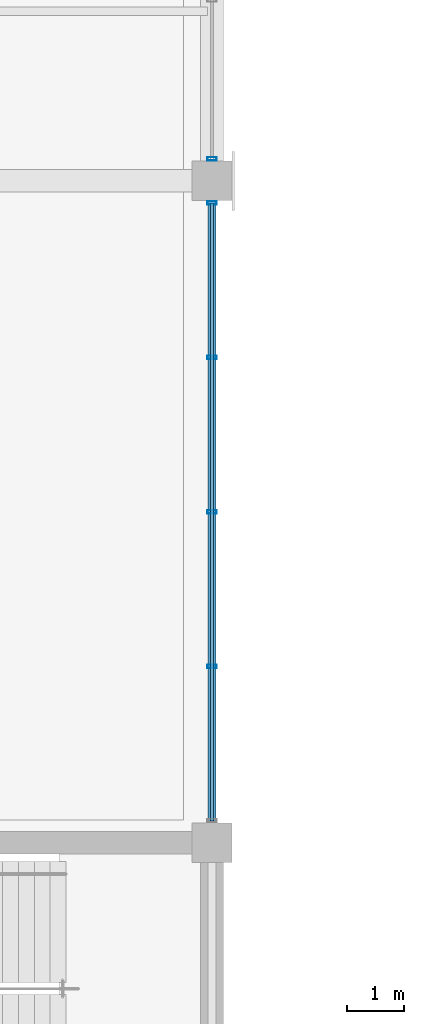
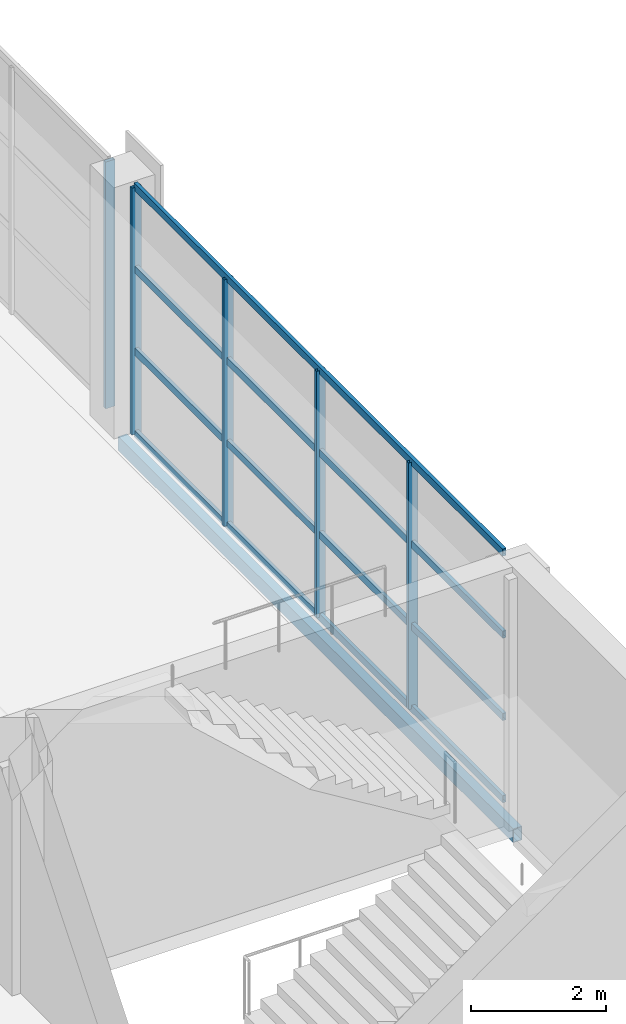
# One storey, part 22 of 112: 9 members, 1 beam, 2 elements without a shape of their own.
"""IFC4 building model written with IfcOpenShell, lengths in metres."""

from ifc_helpers import new_model, si_unit, direction, frame, origin, origin_2d, place, context, subcontext, project, spatial, hollow_rectangle, extrude, material, material_profile, profile_set, type_object, element, aggregate, save


model = new_model("IFC4")

# Units and contexts
model_context = context("Model", 3, precision=1e-05, world=origin(), true_north=direction((0.0, 1.0)))
body_context = subcontext(model_context, "Body", "Model", "MODEL_VIEW")
ifc_project = project(units=[si_unit("LENGTHUNIT", "METRE"), si_unit("AREAUNIT", "SQUARE_METRE"), si_unit("VOLUMEUNIT", "CUBIC_METRE"), si_unit("PLANEANGLEUNIT", "RADIAN"), si_unit("MASSUNIT", "GRAM", prefix="KILO")], contexts=[model_context])

# Site, building, storey
site_placement = place(None, origin())
site = spatial("IfcSite", under=ifc_project, at=site_placement, CompositionType="ELEMENT")
building_placement = place(site_placement, origin())
building = spatial("IfcBuilding", under=site, at=building_placement, Name="Solvikara Media Centre", CompositionType="ELEMENT")
storey_placement = place(building_placement, frame((0.0, 0.0, 5.39990234375)))
storey = spatial("IfcBuildingStorey", under=building, at=storey_placement, Name="L01", CompositionType="ELEMENT", Elevation=5.39990234375)

# Beam
ifc_material_1 = material(Name="Steel S355JR", Category="steel")
ifc_material_profile_1 = material_profile(ifc_material_1, hollow_rectangle(XDim=0.14990234375, YDim=0.25, WallThickness=0.008056640625, at=origin_2d()), Name="RHS 250x150x8")
ifc_profile_set_1 = profile_set([ifc_material_profile_1], Name="Steel S355JR")
beam_type = type_object("IfcBeamType", Name="BM-36", PredefinedType="JOIST", material=ifc_profile_set_1)
beam_placement = place(storey_placement, frame((34.0, 44.800048828125, -0.386962890625), z_axis=(0.0, 1.0, 0.0), x_axis=(-1.0, 0.0, 0.0)))
element("IfcBeam", 1, at=beam_placement, inside=storey, type_object=beam_type, Name="B-L01-Y0576", PredefinedType="JOIST", context=body_context, shape_type="SweptSolid", body=[
    extrude(hollow_rectangle(XDim=0.14990234375, YDim=0.25, WallThickness=0.008056640625, at=origin_2d()), origin(), (0.0, 0.0, 1.0), 11.699951171875),
])

# Curtain wall, members
ifc_material_2 = material(Name="Anodised aluminium EN AW-6063", Category="aluminium")
curtain_wall_type = type_object("IfcCurtainWallType", Name="CW-07", PredefinedType="NOTDEFINED", material=ifc_material_2)
curtain_wall_1_placement = place(storey_placement, origin())
curtain_wall_1 = element("IfcCurtainWall", 2, at=curtain_wall_1_placement, inside=storey, type_object=curtain_wall_type, Name="CW-L01-V4E-S1", PredefinedType="NOTDEFINED")
ifc_material_profile_2 = material_profile(ifc_material_2, hollow_rectangle(XDim=0.06005859375, YDim=0.159912109375, WallThickness=0.00341796875, at=origin_2d()), Name="ALU-M 60x160x3.5")
ifc_profile_set_2 = profile_set([ifc_material_profile_2], Name="Anodised aluminium EN AW-6063")
member_type_1 = type_object("IfcMemberType", Name="MF-04", PredefinedType="MULLION", material=ifc_profile_set_2)
member_1_placement = place(storey_placement, frame((34.0, 47.919921875, 0.02001953125), z_axis=(0.0, 0.0, 1.0), x_axis=(0.0, 1.0, 0.0)))
member_1 = element("IfcMember", 3, at=member_1_placement, type_object=member_type_1, Name="CW-L01-V4E-S1-M01", PredefinedType="MULLION", context=body_context, shape_type="SweptSolid", body=[
    extrude(hollow_rectangle(XDim=0.06005859375, YDim=0.159912109375, WallThickness=0.00341796875, at=origin_2d()), origin(), (0.0, 0.0, 1.0), 4.4599609375),
])
member_2_placement = place(storey_placement, frame((34.0, 50.64990234375, 0.02001953125), z_axis=(0.0, 0.0, 1.0), x_axis=(0.0, 1.0, 0.0)))
member_2 = element("IfcMember", 4, at=member_2_placement, type_object=member_type_1, Name="CW-L01-V4E-S1-M02", PredefinedType="MULLION", context=body_context, shape_type="SweptSolid", body=[
    extrude(hollow_rectangle(XDim=0.06005859375, YDim=0.159912109375, WallThickness=0.00341796875, at=origin_2d()), origin(), (0.0, 0.0, 1.0), 4.4599609375),
])
member_3_placement = place(storey_placement, frame((34.0, 53.3798828125, 0.02001953125), z_axis=(0.0, 0.0, 1.0), x_axis=(0.0, 1.0, 0.0)))
member_3 = element("IfcMember", 5, at=member_3_placement, type_object=member_type_1, Name="CW-L01-V4E-S1-M03", PredefinedType="MULLION", context=body_context, shape_type="SweptSolid", body=[
    extrude(hollow_rectangle(XDim=0.06005859375, YDim=0.159912109375, WallThickness=0.00341796875, at=origin_2d()), origin(), (0.0, 0.0, 1.0), 4.4599609375),
])
member_4_placement = place(storey_placement, frame((34.0, 56.110107421875, 0.02001953125), z_axis=(0.0, 0.0, 1.0), x_axis=(0.0, 1.0, 0.0)))
member_4 = element("IfcMember", 6, at=member_4_placement, type_object=member_type_1, Name="CW-L01-V4E-S1-M04", PredefinedType="MULLION", context=body_context, shape_type="SweptSolid", body=[
    extrude(hollow_rectangle(XDim=0.06005859375, YDim=0.159912109375, WallThickness=0.00341796875, at=origin_2d()), origin(), (0.0, 0.0, 1.0), 4.4599609375),
])

# Curtain wall, member
curtain_wall_2_placement = place(storey_placement, origin())
curtain_wall_2 = element("IfcCurtainWall", 7, at=curtain_wall_2_placement, inside=storey, type_object=curtain_wall_type, Name="CW-L01-V4E-S2", PredefinedType="NOTDEFINED")
member_5_placement = place(storey_placement, frame((34.0, 56.889892578125, 0.02001953125), z_axis=(0.0, 0.0, 1.0), x_axis=(0.0, 1.0, 0.0)))
member_5 = element("IfcMember", 8, at=member_5_placement, type_object=member_type_1, Name="CW-L01-V4E-S2-M00", PredefinedType="MULLION", context=body_context, shape_type="SweptSolid", body=[
    extrude(hollow_rectangle(XDim=0.06005859375, YDim=0.159912109375, WallThickness=0.00341796875, at=origin_2d()), origin(), (0.0, 0.0, 1.0), 4.4599609375),
])
aggregate(curtain_wall_2, [member_5])

# Member
ifc_material_profile_3 = material_profile(ifc_material_2, hollow_rectangle(XDim=0.06005859375, YDim=0.1298828125, WallThickness=0.0029296875, at=origin_2d()), Name="ALU-T 60x130x3")
ifc_profile_set_3 = profile_set([ifc_material_profile_3], Name="Anodised aluminium EN AW-6063")
member_type_2 = type_object("IfcMemberType", Name="MF-10", PredefinedType="USERDEFINED", material=ifc_profile_set_3)
member_6_placement = place(storey_placement, frame((34.0, 45.18994140625, 0.02001953125), z_axis=(0.0, 1.0, 0.0), x_axis=(-1.0, 0.0, 0.0)))
member_6 = element("IfcMember", 9, at=member_6_placement, type_object=member_type_2, Name="CW-L01-V4E-S1-T00", ObjectType="TRANSOM", PredefinedType="USERDEFINED", context=body_context, shape_type="SweptSolid", body=[
    extrude(hollow_rectangle(XDim=0.06005859375, YDim=0.1298828125, WallThickness=0.0029296875, at=origin_2d()), origin(), (0.0, 0.0, 1.0), 10.920166015625),
])

member_7_placement = place(storey_placement, frame((34.0, 45.18994140625, 1.507080078125), z_axis=(0.0, 1.0, 0.0), x_axis=(-1.0, 0.0, 0.0)))
member_7 = element("IfcMember", 10, at=member_7_placement, type_object=member_type_2, Name="CW-L01-V4E-S1-T01", ObjectType="TRANSOM", PredefinedType="USERDEFINED", context=body_context, shape_type="SweptSolid", body=[
    extrude(hollow_rectangle(XDim=0.06005859375, YDim=0.1298828125, WallThickness=0.0029296875, at=origin_2d()), origin(), (0.0, 0.0, 1.0), 10.920166015625),
])

member_8_placement = place(storey_placement, frame((34.0, 45.18994140625, 2.9931640625), z_axis=(0.0, 1.0, 0.0), x_axis=(-1.0, 0.0, 0.0)))
member_8 = element("IfcMember", 11, at=member_8_placement, type_object=member_type_2, Name="CW-L01-V4E-S1-T02", ObjectType="TRANSOM", PredefinedType="USERDEFINED", context=body_context, shape_type="SweptSolid", body=[
    extrude(hollow_rectangle(XDim=0.06005859375, YDim=0.1298828125, WallThickness=0.0029296875, at=origin_2d()), origin(), (0.0, 0.0, 1.0), 10.920166015625),
])

member_9_placement = place(storey_placement, frame((34.0, 45.18994140625, 4.47998046875), z_axis=(0.0, 1.0, 0.0), x_axis=(-1.0, 0.0, 0.0)))
member_9 = element("IfcMember", 12, at=member_9_placement, type_object=member_type_2, Name="CW-L01-V4E-S1-T03", ObjectType="TRANSOM", PredefinedType="USERDEFINED", context=body_context, shape_type="SweptSolid", body=[
    extrude(hollow_rectangle(XDim=0.06005859375, YDim=0.1298828125, WallThickness=0.0029296875, at=origin_2d()), origin(), (0.0, 0.0, 1.0), 10.920166015625),
])

aggregate(curtain_wall_1, [member_1, member_2, member_3, member_4, member_6, member_7, member_8, member_9])

save(model, "model.ifc")
